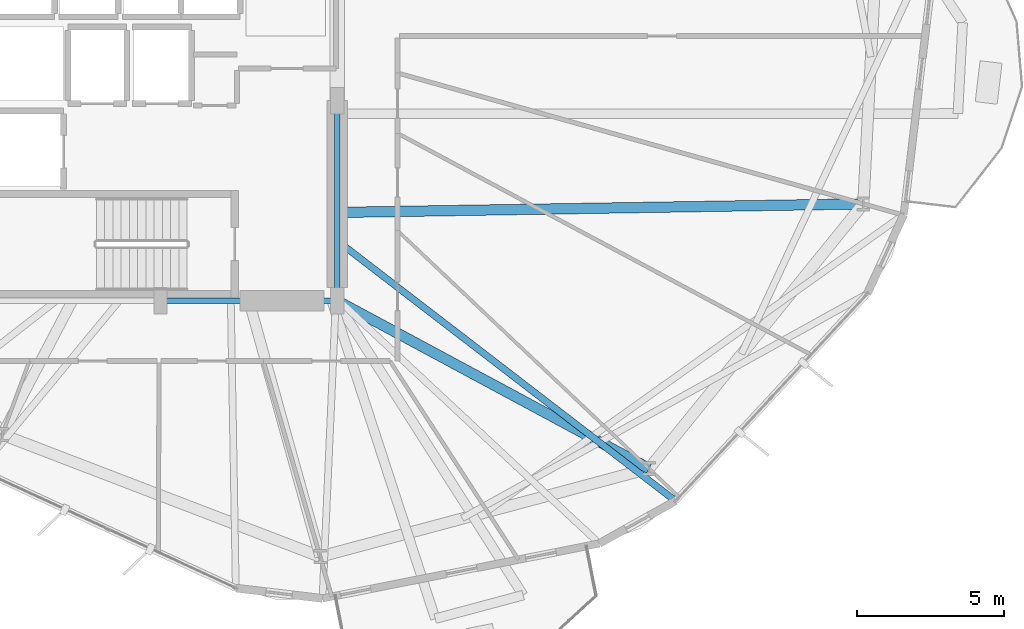
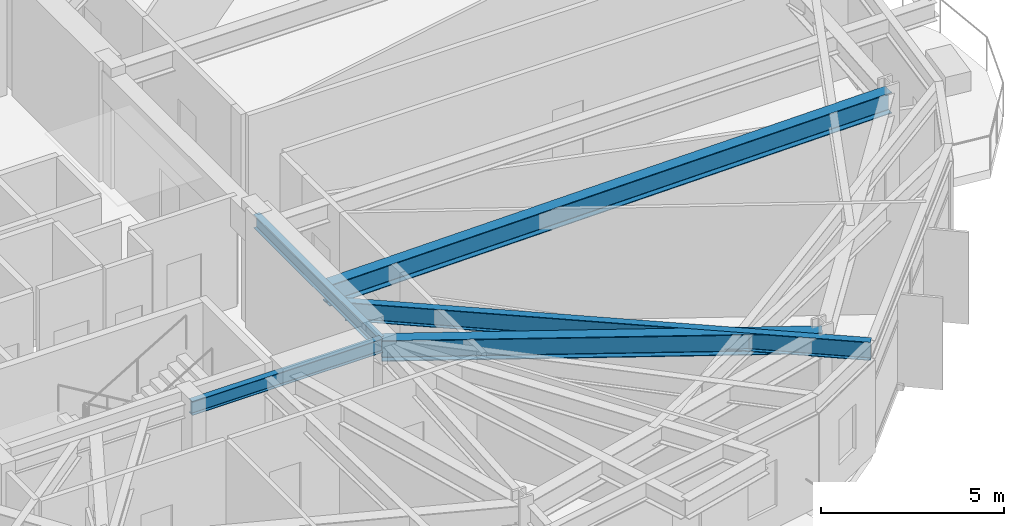
# One storey, part 5 of 22: 5 beams.
"""IFC4 building model written with IfcOpenShell, lengths in metres."""

from ifc_helpers import new_model, si_unit, direction, frame, origin, origin_2d, place, context, subcontext, project, spatial, i_section, extrude, material, material_profile, profile_set, type_object, element, save


model = new_model("IFC4")

# Units and contexts
model_context = context("Model", 3, precision=1e-05, world=origin(), true_north=direction((0.0, 1.0)))
body_context = subcontext(model_context, "Body", "Model", "MODEL_VIEW")
ifc_project = project(units=[si_unit("LENGTHUNIT", "METRE"), si_unit("AREAUNIT", "SQUARE_METRE"), si_unit("VOLUMEUNIT", "CUBIC_METRE"), si_unit("PLANEANGLEUNIT", "RADIAN"), si_unit("MASSUNIT", "GRAM", prefix="KILO")], contexts=[model_context])

# Site, building, storey
site_placement = place(None, origin())
site = spatial("IfcSite", under=ifc_project, at=site_placement, CompositionType="ELEMENT")
building_placement = place(site_placement, origin())
building = spatial("IfcBuilding", under=site, at=building_placement, Name="Soratama Intermodal Tower", CompositionType="ELEMENT")
storey_placement = place(building_placement, frame((0.0, 0.0, 70.60009765625)))
storey = spatial("IfcBuildingStorey", under=building, at=storey_placement, Name="L16", CompositionType="ELEMENT", Elevation=70.60009765625)

# Beams
ifc_material_1 = material(Name="Structural steel ASTM A992 Grade 50", Category="steel")
ifc_material_profile_1 = material_profile(ifc_material_1, i_section(OverallWidth=0.19091796875, OverallDepth=0.4599609375, WebThickness=0.010009765625, FlangeThickness=0.01611328125, FilletRadius=0.010986328125, at=origin_2d()), Name="W18X55")
ifc_profile_set_1 = profile_set([ifc_material_profile_1], Name="Structural steel ASTM A992 Grade 50")
beam_type_1 = type_object("IfcBeamType", Name="BM-FLR-W18X55", PredefinedType="BEAM", material=ifc_profile_set_1)
beam_1_placement = place(storey_placement, frame((38.60009765625, 15.0, 3.469970703125), z_axis=(1.0, 0.0, 0.0), x_axis=(0.0, 1.0, 0.0)))
element("IfcBeam", 1, at=beam_1_placement, inside=storey, type_object=beam_type_1, Name="BM-L16-CRING-02", PredefinedType="BEAM", context=body_context, shape_type="SweptSolid", body=[
    extrude(i_section(OverallWidth=0.19091796875, OverallDepth=0.4599609375, WebThickness=0.010009765625, FlangeThickness=0.01611328125, FilletRadius=0.010986328125, at=origin_2d()), origin(), (0.0, 0.0, 1.0), 6.0),
])
beam_2_placement = place(storey_placement, frame((44.60009765625, 15.0, 3.469970703125), z_axis=(0.0, 1.0, 0.0), x_axis=(-1.0, 0.0, 0.0)))
element("IfcBeam", 2, at=beam_2_placement, inside=storey, type_object=beam_type_1, Name="BM-L16-CRING-03", PredefinedType="BEAM", context=body_context, shape_type="SweptSolid", body=[
    extrude(i_section(OverallWidth=0.19091796875, OverallDepth=0.4599609375, WebThickness=0.010009765625, FlangeThickness=0.01611328125, FilletRadius=0.010986328125, at=origin_2d()), origin(), (0.0, 0.0, 1.0), 6.800048828125),
])
ifc_material_2 = material(Name="Structural steel ASTM A992 Grade 50", Category="steel")
ifc_material_profile_2 = material_profile(ifc_material_2, i_section(OverallWidth=0.35498046875, OverallDepth=0.695068359375, WebThickness=0.015380859375, FlangeThickness=0.02490234375, FilletRadius=0.01611328125, at=origin_2d()), Name="W27X146")
ifc_profile_set_2 = profile_set([ifc_material_profile_2], Name="Structural steel ASTM A992 Grade 50")
beam_type_2 = type_object("IfcBeamType", Name="BM-RING-W27X146", PredefinedType="BEAM", material=ifc_profile_set_2)
beam_3_placement = place(storey_placement, frame((44.60009765625, 15.0, 3.352294921875), z_axis=(0.880663887759, -0.473741613961, 0.0), x_axis=(0.473741613961, 0.880663887759, 0.0)))
element("IfcBeam", 3, at=beam_3_placement, inside=storey, type_object=beam_type_2, Name="BM-L16-RAD-09", PredefinedType="BEAM", context=body_context, shape_type="SweptSolid", body=[
    extrude(i_section(OverallWidth=0.35498046875, OverallDepth=0.695068359375, WebThickness=0.015380859375, FlangeThickness=0.02490234375, FilletRadius=0.01611328125, at=origin_2d()), origin(), (0.0, 0.0, 1.0), 12.03173828125),
])
beam_4_placement = place(storey_placement, frame((44.60009765625, 18.0, 3.352294921875), z_axis=(0.999867526408, 0.016276659176, 0.0), x_axis=(-0.016276659176, 0.999867526408, 0.0)))
element("IfcBeam", 4, at=beam_4_placement, inside=storey, type_object=beam_type_2, Name="BM-L16-RAD-10", PredefinedType="BEAM", context=body_context, shape_type="SweptSolid", body=[
    extrude(i_section(OverallWidth=0.35498046875, OverallDepth=0.695068359375, WebThickness=0.015380859375, FlangeThickness=0.02490234375, FilletRadius=0.01611328125, at=origin_2d()), origin(), (0.0, 0.0, 1.0), 17.87939453125),
])
ifc_material_3 = material(Name="Structural steel ASTM A992 Grade 50", Category="steel")
ifc_material_profile_3 = material_profile(ifc_material_3, i_section(OverallWidth=0.22900390625, OverallDepth=0.612060546875, WebThickness=0.011962890625, FlangeThickness=0.01953125, FilletRadius=0.012939453125, at=origin_2d()), Name="W24X84")
ifc_profile_set_3 = profile_set([ifc_material_profile_3], Name="Structural steel ASTM A992 Grade 50")
beam_type_3 = type_object("IfcBeamType", Name="BM-TIE-W24X84", PredefinedType="BEAM", material=ifc_profile_set_3)
beam_5_placement = place(storey_placement, frame((44.632080078125, 17.013916015625, 3.393798828125), z_axis=(0.792755748113, -0.609539435831, 0.0), x_axis=(0.609539435831, 0.792755748113, 0.0)))
element("IfcBeam", 5, at=beam_5_placement, inside=storey, type_object=beam_type_3, Name="BM-L16-TIE0-09", PredefinedType="BEAM", context=body_context, shape_type="SweptSolid", body=[
    extrude(i_section(OverallWidth=0.22900390625, OverallDepth=0.612060546875, WebThickness=0.011962890625, FlangeThickness=0.01953125, FilletRadius=0.012939453125, at=origin_2d()), origin(), (0.0, 0.0, 1.0), 14.463134765625),
])

save(model, "model.ifc")
